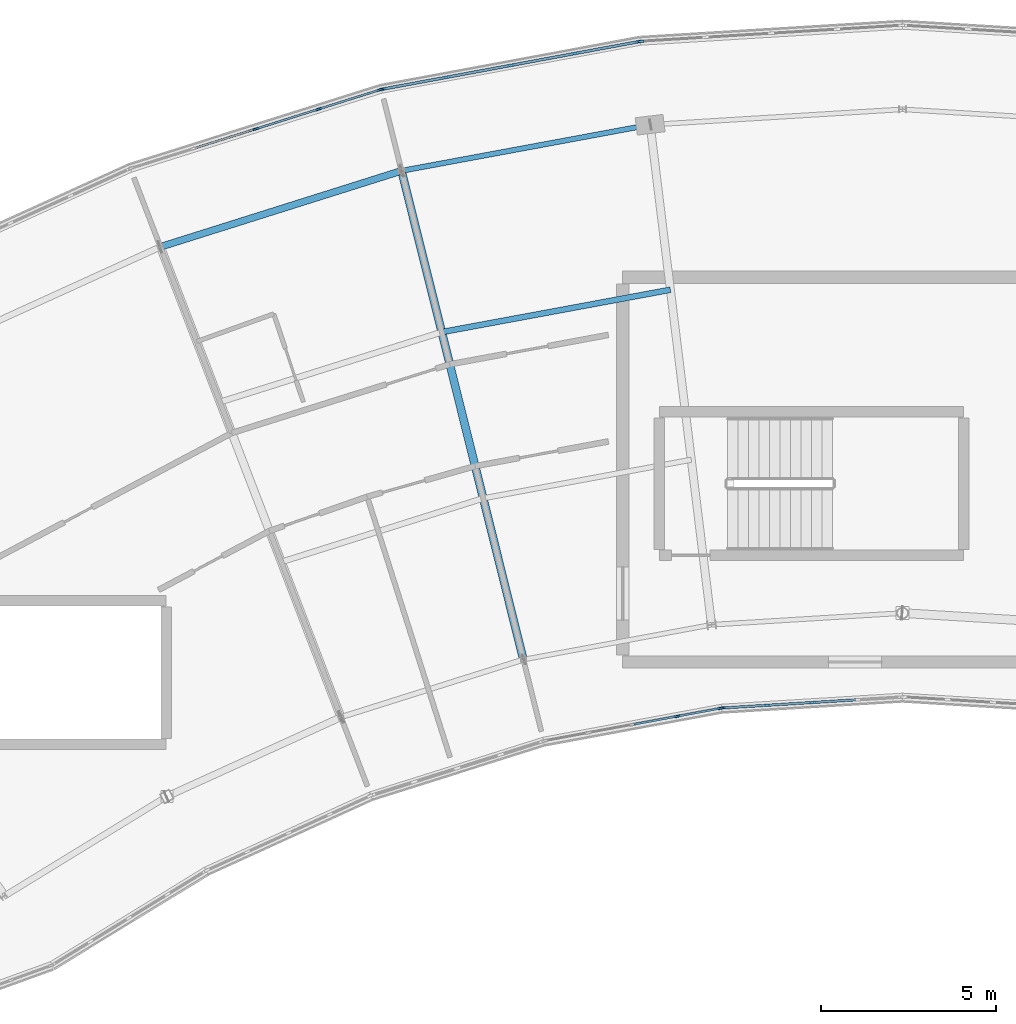
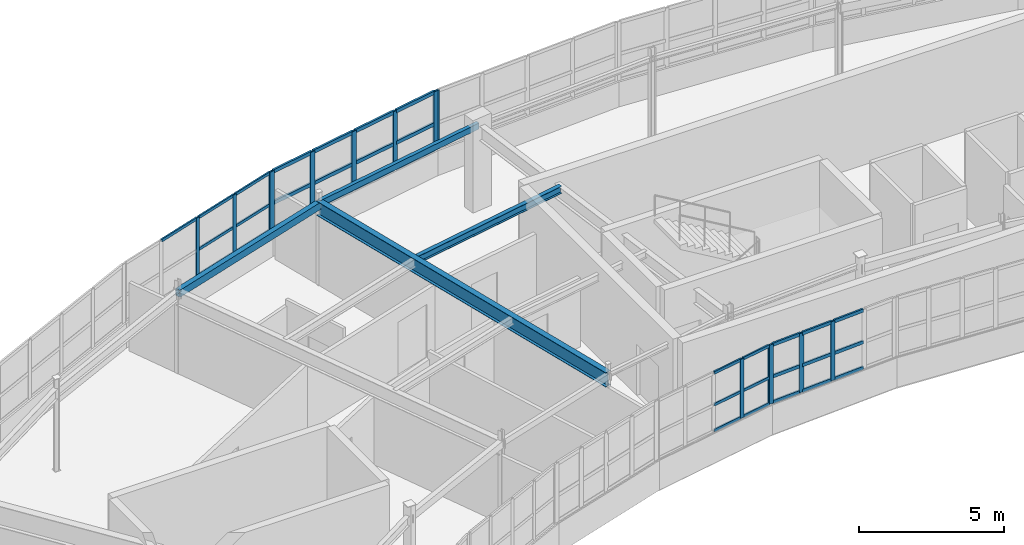
# One storey, part 29 of 60: 48 members, 4 beams, 5 elements without a shape of their own.
"""IFC4 building model written with IfcOpenShell, lengths in metres."""

import ifcopenshell
import ifcopenshell.guid

model = None  # the IFC model being written
_history = None  # IfcOwnerHistory: only IFC2X3 demands one
_inside = {}  # id of a spatial element -> (the spatial element, [elements in it])
_under = {}  # id of a project, library or spatial element -> (it, [spatial elements below it])
_declared = {}  # id of a project -> (the project, [libraries it declares])
_typed = {}  # id of a type object -> (the type object, [elements of that type])
_made_of = {}  # id of a material, layer set ... -> (it, [elements and type objects made of it])


def new_model(schema):
    """Start an empty IFC model of exactly this schema.

    Asked for "IFC4X3", IfcOpenShell would pick the latest addendum, in which some entities
    have other attributes; the version numbers below select the first issue.
    IFC2X3 requires an IfcOwnerHistory on every rooted entity: one is made here for all.
    """
    global model, _history
    if schema == "IFC4X3":
        model = ifcopenshell.file(schema_version=(4, 3, 0, 0))
    else:
        model = ifcopenshell.file(schema=schema)
    _inside.clear()
    _under.clear()
    _declared.clear()
    _typed.clear()
    _made_of.clear()
    _history = None
    if model.schema == "IFC2X3":
        org = make("IfcOrganization", Name="unknown")
        user = make(
            "IfcPersonAndOrganization",
            ThePerson=make("IfcPerson", FamilyName="unknown"),
            TheOrganization=org,
        )
        app = make(
            "IfcApplication",
            ApplicationDeveloper=org,
            Version="unknown",
            ApplicationFullName="unknown",
            ApplicationIdentifier="unknown",
        )
        _history = make(
            "IfcOwnerHistory",
            OwningUser=user,
            OwningApplication=app,
            ChangeAction="ADDED",
            CreationDate=0,
        )
    return model


def make(cls, **values):
    """One entity of the class cls with the attributes given. An attribute that is None is left unset."""
    return model.create_entity(
        cls, **{name: value for name, value in values.items() if value is not None}
    )


def rooted(cls, **values):
    """An entity with a GlobalId (a new one), such as an element, a storey or a relation."""
    return make(cls, GlobalId=ifcopenshell.guid.new(), OwnerHistory=_history, **values)


def si_unit(unit_type, name, prefix=None):
    """IfcSIUnit, for example si_unit("LENGTHUNIT", "METRE", prefix="MILLI")."""
    return make("IfcSIUnit", UnitType=unit_type, Prefix=prefix, Name=name)


def assignment(units):
    """IfcUnitAssignment: the units of a project."""
    return None if units is None else make("IfcUnitAssignment", Units=units)


def point(xyz):
    """IfcCartesianPoint."""
    return None if xyz is None else make("IfcCartesianPoint", Coordinates=xyz)


def direction(xyz):
    """IfcDirection."""
    return None if xyz is None else make("IfcDirection", DirectionRatios=xyz)


def frame(location, z_axis=None, x_axis=None):
    """IfcAxis2Placement3D, a coordinate frame: its origin and axes. An axis left out is left unset."""
    return make(
        "IfcAxis2Placement3D",
        Location=point(location),
        Axis=direction(z_axis),
        RefDirection=direction(x_axis),
    )


def frame_2d(location, x_axis=None):
    """IfcAxis2Placement2D, a coordinate frame in the plane: its origin and x axis."""
    return make(
        "IfcAxis2Placement2D", Location=point(location), RefDirection=direction(x_axis)
    )


def origin():
    """The frame at (0, 0, 0) with its axes left unset."""
    return frame((0.0, 0.0, 0.0))


def origin_2d():
    """The frame at (0, 0) in the plane with its x axis left unset."""
    return frame_2d((0.0, 0.0))


def place(relative_to, where):
    """IfcLocalPlacement: puts the frame where relative to a parent placement (None: the world)."""
    return make(
        "IfcLocalPlacement", PlacementRelTo=relative_to, RelativePlacement=where
    )


def context(
    kind, dimensions, precision=None, world=None, true_north=None, identifier=None
):
    """IfcGeometricRepresentationContext, for example the 3D "Model" context."""
    return make(
        "IfcGeometricRepresentationContext",
        ContextIdentifier=identifier,
        ContextType=kind,
        CoordinateSpaceDimension=dimensions,
        Precision=precision,
        WorldCoordinateSystem=world,
        TrueNorth=true_north,
    )


def subcontext(parent, identifier, kind, view, scale=None):
    """IfcGeometricRepresentationSubContext, for example "Body" below "Model"."""
    return make(
        "IfcGeometricRepresentationSubContext",
        ContextIdentifier=identifier,
        ContextType=kind,
        ParentContext=parent,
        TargetScale=scale,
        TargetView=view,
    )


def project(units=None, contexts=None):
    """IfcProject with its units and contexts."""
    return rooted(
        "IfcProject",
        Name="project",
        RepresentationContexts=contexts,
        UnitsInContext=assignment(units),
    )


def spatial(cls, under=None, at=None, **own):
    """A site, building, storey or space (cls), placed at a placement, below another one or the project."""
    s = rooted(cls, ObjectPlacement=at, **own)
    if under is not None:
        _under.setdefault(under.id(), (under, []))[1].append(s)
    return s


def profile(cls, at=None, kind="AREA", **sizes):
    """A parametric profile (cls). Its sizes go by their IFC names, for example OverallWidth=200.0."""
    return make(cls, ProfileType=kind, Position=at, **sizes)


def rectangle(**sizes):
    """IfcRectangleProfileDef."""
    return profile("IfcRectangleProfileDef", **sizes)


def hollow_rectangle(**sizes):
    """IfcRectangleHollowProfileDef."""
    return profile("IfcRectangleHollowProfileDef", **sizes)


def i_section(**sizes):
    """IfcIShapeProfileDef."""
    return profile("IfcIShapeProfileDef", **sizes)


def extrude(swept, where, along, depth):
    """IfcExtrudedAreaSolid: the profile swept, set in the frame where, extruded along a direction by depth."""
    return make(
        "IfcExtrudedAreaSolid",
        SweptArea=swept,
        Position=where,
        ExtrudedDirection=direction(along),
        Depth=depth,
    )


def shape(context_of_items, identifier, shape_type, items):
    """IfcShapeRepresentation: the items that make up one representation, for example the "Body"."""
    return make(
        "IfcShapeRepresentation",
        ContextOfItems=context_of_items,
        RepresentationIdentifier=identifier,
        RepresentationType=shape_type,
        Items=items,
    )


def material(Name=None, Category=None):
    """IfcMaterial."""
    return make("IfcMaterial", Name=Name, Category=Category)


def layer(
    of_material, thickness, ventilated=None, Name=None, Category=None, Priority=None
):
    """IfcMaterialLayer: one layer of a wall or slab, of a material (None: an air gap)."""
    return make(
        "IfcMaterialLayer",
        Material=of_material,
        LayerThickness=thickness,
        IsVentilated=ventilated,
        Name=Name,
        Category=Category,
        Priority=Priority,
    )


def layer_set(layers, Name=None):
    """IfcMaterialLayerSet."""
    return make("IfcMaterialLayerSet", MaterialLayers=layers, LayerSetName=Name)


def material_profile(
    of_material, cross_section, Name=None, Category=None, Priority=None
):
    """IfcMaterialProfile: a cross section and its material."""
    return make(
        "IfcMaterialProfile",
        Name=Name,
        Material=of_material,
        Profile=cross_section,
        Priority=Priority,
        Category=Category,
    )


def profile_set(profiles, Name=None, composite=None):
    """IfcMaterialProfileSet."""
    return make(
        "IfcMaterialProfileSet",
        Name=Name,
        MaterialProfiles=profiles,
        CompositeProfile=composite,
    )


def made_of(thing, what):
    """Note that an element or type object is made of a material, layer set ...; save() writes the relation."""
    if what is not None:
        _made_of.setdefault(what.id(), (what, []))[1].append(thing)
    return thing


def type_object(cls, material=None, **own):
    """A type object (cls), such as IfcWallType, which elements share."""
    return made_of(rooted(cls, **own), material)


def element(
    cls,
    number,
    at=None,
    inside=None,
    cuts=None,
    type_object=None,
    material=None,
    context=None,
    identifier="Body",
    shape_type=None,
    held_by="IfcProductDefinitionShape",
    body=None,
    shapes=None,
    **own,
):
    """One element of the class cls, such as IfcWall. Its Tag is "e" and its number.

    at: its placement. inside: the storey or other place that contains it. cuts: it is an
    opening in that element (IfcRelVoidsElement). A single representation is given by context,
    identifier, shape_type and body (its items); several are given by shapes. held_by: the class
    of the entity that holds the representations. save() writes the other relations.
    """
    e = rooted(cls, Tag="e%d" % number, ObjectPlacement=at, **own)
    if body is not None:
        shapes = [shape(context, identifier, shape_type, body)]
    if shapes is not None:
        e.Representation = make(held_by, Representations=shapes)
    if inside is not None:
        _inside.setdefault(inside.id(), (inside, []))[1].append(e)
    if cuts is not None:
        rooted(
            "IfcRelVoidsElement", RelatingBuildingElement=cuts, RelatedOpeningElement=e
        )
    if type_object is not None:
        _typed.setdefault(type_object.id(), (type_object, []))[1].append(e)
    return made_of(e, material)


def aggregate(whole, parts):
    """IfcRelAggregates: a whole, such as a stair, and the parts it consists of."""
    return rooted("IfcRelAggregates", RelatingObject=whole, RelatedObjects=parts)


def save(model, path):
    """Write the relations noted so far, then the file.

    IfcRelAggregates (storeys below a building ...), IfcRelContainedInSpatialStructure (elements
    in a storey), IfcRelDefinesByType, IfcRelAssociatesMaterial and IfcRelDeclares: one each for
    every whole, place, type object, material and project.
    """
    for whole, parts in _under.values():
        aggregate(whole, parts)
    for where, things in _inside.values():
        rooted(
            "IfcRelContainedInSpatialStructure",
            RelatedElements=things,
            RelatingStructure=where,
        )
    for kind, things in _typed.values():
        rooted("IfcRelDefinesByType", RelatedObjects=things, RelatingType=kind)
    for what, things in _made_of.values():
        rooted("IfcRelAssociatesMaterial", RelatedObjects=things, RelatingMaterial=what)
    for by, libraries in _declared.values():
        rooted("IfcRelDeclares", RelatingContext=by, RelatedDefinitions=libraries)
    model.write(path)


model = new_model("IFC4")

# Units and contexts
model_context = context("Model", 3, precision=1e-05, world=origin(), true_north=direction((0.0, 1.0)))
body_context = subcontext(model_context, "Body", "Model", "MODEL_VIEW")
ifc_project = project(units=[si_unit("LENGTHUNIT", "METRE"), si_unit("AREAUNIT", "SQUARE_METRE"), si_unit("VOLUMEUNIT", "CUBIC_METRE"), si_unit("PLANEANGLEUNIT", "RADIAN"), si_unit("MASSUNIT", "GRAM", prefix="KILO")], contexts=[model_context])

# Site, building, storey
site_placement = place(None, origin())
site = spatial("IfcSite", under=ifc_project, at=site_placement, CompositionType="ELEMENT")
building_placement = place(site_placement, origin())
building = spatial("IfcBuilding", under=site, at=building_placement, Name="Tarnwether General Hospital", CompositionType="ELEMENT")
storey_placement = place(building_placement, frame((0.0, 0.0, 26.10009765625)))
storey = spatial("IfcBuildingStorey", under=building, at=storey_placement, Name="L06", CompositionType="ELEMENT", Elevation=26.10009765625)

# Beams
ifc_material_1 = material(Name="Steel Grade 350 (350 MPa)", Category="steel")
ifc_material_profile_1 = material_profile(ifc_material_1, i_section(OverallWidth=0.22802734375, OverallDepth=0.60693359375, WebThickness=0.01123046875, FlangeThickness=0.017333984375, at=origin_2d()), Name="610UB113")
ifc_profile_set_1 = profile_set([ifc_material_profile_1], Name="Steel Grade 350 (350 MPa)")
beam_type_1 = type_object("IfcBeamType", Name="BM-G04", PredefinedType="BEAM", material=ifc_profile_set_1)
beam_1_placement = place(storey_placement, frame((77.677978515625, 120.44189453125, 3.241455078125), z_axis=(0.241941215118, -0.970290909175, 0.0), x_axis=(0.970290909175, 0.241941215118, 0.0)))
element("IfcBeam", 1, at=beam_1_placement, inside=storey, type_object=beam_type_1, Name="Curved Ward NW Radial Girder BMG-L06-7768_12044-8116_10647-2015", PredefinedType="BEAM", context=body_context, shape_type="SweptSolid", body=[
    extrude(i_section(OverallWidth=0.22802734375, OverallDepth=0.60693359375, WebThickness=0.01123046875, FlangeThickness=0.017333984375, at=origin_2d()), origin(), (0.0, 0.0, 1.0), 14.400634765625),
])
ifc_material_2 = material(Name="Steel Grade 350 (350 MPa)", Category="steel")
ifc_material_profile_2 = material_profile(ifc_material_2, i_section(OverallWidth=0.166015625, OverallDepth=0.306884765625, WebThickness=0.006591796875, FlangeThickness=0.01171875, at=origin_2d()), Name="310UB46.2")
ifc_profile_set_2 = profile_set([ifc_material_profile_2], Name="Steel Grade 350 (350 MPa)")
beam_type_2 = type_object("IfcBeamType", Name="BM-J05", PredefinedType="JOIST", material=ifc_profile_set_2)
beam_2_placement = place(storey_placement, frame((78.827880859375, 115.8310546875, 3.391357421875), z_axis=(0.983267388773, 0.18216817004, 0.0), x_axis=(-0.18216817004, 0.983267388773, 0.0)))
element("IfcBeam", 2, at=beam_2_placement, inside=storey, type_object=beam_type_2, Name="Curved Ward NW Chord Joist BMG-L06-7883_11583-8536_11704-2029", PredefinedType="JOIST", context=body_context, shape_type="SweptSolid", body=[
    extrude(i_section(OverallWidth=0.166015625, OverallDepth=0.306884765625, WebThickness=0.006591796875, FlangeThickness=0.01171875, at=origin_2d()), origin(), (0.0, 0.0, 1.0), 6.6474609375),
])
ifc_material_3 = material(Name="Steel Grade C350L0 (350 MPa)", Category="steel")
ifc_material_profile_3 = material_profile(ifc_material_3, hollow_rectangle(XDim=0.199951171875, YDim=0.300048828125, WallThickness=0.012451171875, at=origin_2d()), Name="RHS300x200x12.5")
ifc_profile_set_3 = profile_set([ifc_material_profile_3], Name="Steel Grade C350L0 (350 MPa)")
beam_type_3 = type_object("IfcBeamType", Name="BM-SP3", PredefinedType="SPANDREL", material=ifc_profile_set_3)
beam_3_placement = place(storey_placement, frame((70.784912109375, 118.26806640625, 3.349853515625), z_axis=(0.953698988948, 0.300762761125, 0.0), x_axis=(-0.300762761125, 0.953698988948, 0.0)))
element("IfcBeam", 3, at=beam_3_placement, inside=storey, type_object=beam_type_3, Name="Curved Ward NW Outer Spandrel BMG-L06-7078_11827-7768_12044-2023", PredefinedType="SPANDREL", context=body_context, shape_type="SweptSolid", body=[
    extrude(hollow_rectangle(XDim=0.199951171875, YDim=0.300048828125, WallThickness=0.012451171875, at=origin_2d()), origin(), (0.0, 0.0, 1.0), 7.227783203125),
])
ifc_material_4 = material(Name="Steel Grade C350L0 (350 MPa)", Category="steel")
ifc_material_profile_4 = material_profile(ifc_material_4, hollow_rectangle(XDim=0.14990234375, YDim=0.25, WallThickness=0.010009765625, at=origin_2d()), Name="RHS250x150x10")
ifc_profile_set_4 = profile_set([ifc_material_profile_4], Name="Steel Grade C350L0 (350 MPa)")
beam_type_4 = type_object("IfcBeamType", Name="BM-SP4", PredefinedType="SPANDREL", material=ifc_profile_set_4)
beam_4_placement = place(storey_placement, frame((77.677978515625, 120.44189453125, 3.419921875), z_axis=(0.98325623662, 0.182228354399, 0.0), x_axis=(-0.182228354399, 0.98325623662, 0.0)))
element("IfcBeam", 4, at=beam_4_placement, inside=storey, type_object=beam_type_4, Name="Curved Ward NW Outer Spandrel BMG-L06-7768_12044-8478_12176-2027", PredefinedType="SPANDREL", context=body_context, shape_type="SweptSolid", body=[
    extrude(hollow_rectangle(XDim=0.14990234375, YDim=0.25, WallThickness=0.010009765625, at=origin_2d()), origin(), (0.0, 0.0, 1.0), 7.22802734375),
])

# Curtain wall, members
ifc_material_5 = material(Name="Anodised aluminium", Category="aluminium")
ifc_layer_1 = layer(ifc_material_5, 0.159912109375)
ifc_layer_set_1 = layer_set([ifc_layer_1], Name="Anodised aluminium")
curtain_wall_type_1 = type_object("IfcCurtainWallType", Name="CW-04", PredefinedType="NOTDEFINED", material=ifc_layer_set_1)
curtain_wall_1_placement = place(storey_placement, origin())
curtain_wall_1 = element("IfcCurtainWall", 5, at=curtain_wall_1_placement, inside=storey, type_object=curtain_wall_type_1, Name="Curtain Wall CWG-L06-868_1051-0105", PredefinedType="NOTDEFINED")
ifc_material_6 = material(Name="Anodised aluminium", Category="aluminium")
ifc_material_profile_5 = material_profile(ifc_material_6, rectangle(XDim=0.06005859375, YDim=0.159912109375, at=origin_2d()), Name="ALU-MUL-60x160")
ifc_profile_set_5 = profile_set([ifc_material_profile_5], Name="Anodised aluminium")
member_type_1 = type_object("IfcMemberType", Name="CW-ML1", PredefinedType="MULLION", material=ifc_profile_set_5)
member_1_placement = place(storey_placement, frame((86.803466796875, 105.07861328125, 1.0498046875), z_axis=(0.0, 0.0, 1.0), x_axis=(0.182165351666, -0.983267910924, 0.0)))
member_1 = element("IfcMember", 6, at=member_1_placement, type_object=member_type_1, Name="CW-04 mullion 1", PredefinedType="MULLION", context=body_context, shape_type="SweptSolid", body=[
    extrude(rectangle(XDim=0.06005859375, YDim=0.159912109375, at=origin_2d()), origin(), (0.0, 0.0, 1.0), 2.4951171875),
])
member_2_placement = place(storey_placement, frame((85.560546875, 104.84814453125, 1.0498046875), z_axis=(0.0, 0.0, 1.0), x_axis=(0.182165351666, -0.983267910924, 0.0)))
member_2 = element("IfcMember", 7, at=member_2_placement, type_object=member_type_1, Name="CW-04 mullion 2", PredefinedType="MULLION", context=body_context, shape_type="SweptSolid", body=[
    extrude(rectangle(XDim=0.06005859375, YDim=0.159912109375, at=origin_2d()), origin(), (0.0, 0.0, 1.0), 2.4951171875),
])

ifc_material_7 = material(Name="Anodised aluminium", Category="aluminium")
ifc_layer_2 = layer(ifc_material_7, 0.179931640625)
ifc_layer_set_2 = layer_set([ifc_layer_2], Name="Anodised aluminium")
curtain_wall_type_2 = type_object("IfcCurtainWallType", Name="CW-06", PredefinedType="NOTDEFINED", material=ifc_layer_set_2)
curtain_wall_2_placement = place(storey_placement, origin())
curtain_wall_2 = element("IfcCurtainWall", 8, at=curtain_wall_2_placement, inside=storey, type_object=curtain_wall_type_2, Name="Curtain Wall CWG-L06-699_1205-0125", PredefinedType="NOTDEFINED")
member_3_placement = place(storey_placement, frame((73.511474609375, 121.639404296875, 1.0498046875), z_axis=(0.0, 0.0, 1.0), x_axis=(-0.300628613299, 0.953741284032, 0.0)))
member_3 = element("IfcMember", 9, at=member_3_placement, type_object=member_type_1, Name="CW-06 mullion 3", PredefinedType="MULLION", context=body_context, shape_type="SweptSolid", body=[
    extrude(rectangle(XDim=0.06005859375, YDim=0.159912109375, at=origin_2d()), origin(), (0.0, 0.0, 1.0), 2.4951171875),
])
member_4_placement = place(storey_placement, frame((75.3046875, 122.204833984375, 1.0498046875), z_axis=(0.0, 0.0, 1.0), x_axis=(-0.300628613299, 0.953741284032, 0.0)))
member_4 = element("IfcMember", 10, at=member_4_placement, type_object=member_type_1, Name="CW-06 mullion 4", PredefinedType="MULLION", context=body_context, shape_type="SweptSolid", body=[
    extrude(rectangle(XDim=0.06005859375, YDim=0.159912109375, at=origin_2d()), origin(), (0.0, 0.0, 1.0), 2.4951171875),
])
member_5_placement = place(storey_placement, frame((77.0693359375, 122.760986328125, 1.0498046875), z_axis=(0.0, 0.0, 1.0), x_axis=(-0.300628613299, 0.953741284032, 0.0)))
member_5 = element("IfcMember", 11, at=member_5_placement, type_object=member_type_1, Name="CW-06 mullion 5", PredefinedType="MULLION", context=body_context, shape_type="SweptSolid", body=[
    extrude(rectangle(XDim=0.06005859375, YDim=0.159912109375, at=origin_2d()), origin(), (0.0, 0.0, 1.0), 2.4951171875),
])

curtain_wall_3_placement = place(storey_placement, origin())
curtain_wall_3 = element("IfcCurtainWall", 12, at=curtain_wall_3_placement, inside=storey, type_object=curtain_wall_type_1, Name="Curtain Wall CWG-L06-920_1054-0106", PredefinedType="NOTDEFINED")
ifc_material_8 = material(Name="Anodised aluminium", Category="aluminium")
ifc_material_profile_6 = material_profile(ifc_material_8, rectangle(XDim=0.070068359375, YDim=0.179931640625, at=origin_2d()), Name="ALU-MUL-70x180")
ifc_profile_set_6 = profile_set([ifc_material_profile_6], Name="Anodised aluminium")
member_type_2 = type_object("IfcMemberType", Name="CW-ML2", PredefinedType="MULLION", material=ifc_profile_set_6)
member_6_placement = place(storey_placement, frame((89.41650390625, 105.241943359375, 1.0498046875), z_axis=(0.0, 0.0, 1.0), x_axis=(0.06104329354, -0.998135119267, 0.0)))
member_6 = element("IfcMember", 13, at=member_6_placement, type_object=member_type_2, Name="CW-04 mullion 3", PredefinedType="MULLION", context=body_context, shape_type="SweptSolid", body=[
    extrude(rectangle(XDim=0.070068359375, YDim=0.179931640625, at=origin_2d()), origin(), (0.0, 0.0, 1.0), 2.4951171875),
])
member_7_placement = place(storey_placement, frame((88.124755859375, 105.1630859375, 1.0498046875), z_axis=(0.0, 0.0, 1.0), x_axis=(0.06104329354, -0.998135119267, 0.0)))
member_7 = element("IfcMember", 14, at=member_7_placement, type_object=member_type_2, Name="CW-04 mullion 4", PredefinedType="MULLION", context=body_context, shape_type="SweptSolid", body=[
    extrude(rectangle(XDim=0.070068359375, YDim=0.179931640625, at=origin_2d()), origin(), (0.0, 0.0, 1.0), 2.4951171875),
])
member_8_placement = place(storey_placement, frame((86.867919921875, 105.086181640625, 1.0498046875), z_axis=(0.0, 0.0, 1.0), x_axis=(0.06104329354, -0.998135119267, 0.0)))
member_8 = element("IfcMember", 15, at=member_8_placement, type_object=member_type_2, Name="CW-04 mullion 5", PredefinedType="MULLION", context=body_context, shape_type="SweptSolid", body=[
    extrude(rectangle(XDim=0.070068359375, YDim=0.179931640625, at=origin_2d()), origin(), (0.0, 0.0, 1.0), 2.4951171875),
])

# Curtain wall, member
curtain_wall_4_placement = place(storey_placement, origin())
curtain_wall_4 = element("IfcCurtainWall", 16, at=curtain_wall_4_placement, inside=storey, type_object=curtain_wall_type_2, Name="Curtain Wall CWG-L06-845_1241-0123", PredefinedType="NOTDEFINED")
ifc_material_9 = material(Name="Anodised aluminium", Category="aluminium")
ifc_material_profile_7 = material_profile(ifc_material_9, rectangle(XDim=0.06494140625, YDim=0.169921875, at=origin_2d()), Name="ALU-MUL-65x170")
ifc_profile_set_7 = profile_set([ifc_material_profile_7], Name="Anodised aluminium")
member_type_3 = type_object("IfcMemberType", Name="CW-ML3", PredefinedType="MULLION", material=ifc_profile_set_7)
member_9_placement = place(storey_placement, frame((84.525390625, 124.14306640625, 1.0498046875), z_axis=(0.0, 0.0, 1.0), x_axis=(-0.061028962567, 0.998135995608, 0.0)))
member_9 = element("IfcMember", 17, at=member_9_placement, type_object=member_type_3, Name="CW-06 mullion 1", PredefinedType="MULLION", context=body_context, shape_type="SweptSolid", body=[
    extrude(rectangle(XDim=0.06494140625, YDim=0.169921875, at=origin_2d()), origin(), (0.0, 0.0, 1.0), 2.4951171875),
])
aggregate(curtain_wall_4, [member_9])

# Curtain wall, members
curtain_wall_5_placement = place(storey_placement, origin())
curtain_wall_5 = element("IfcCurtainWall", 18, at=curtain_wall_5_placement, inside=storey, type_object=curtain_wall_type_2, Name="Curtain Wall CWG-L06-771_1228-0124", PredefinedType="NOTDEFINED")
ifc_material_10 = material(Name="Anodised aluminium", Category="aluminium")
ifc_material_profile_8 = material_profile(ifc_material_10, rectangle(XDim=0.080078125, YDim=0.199951171875, at=origin_2d()), Name="ALU-MUL-80x200")
ifc_profile_set_8 = profile_set([ifc_material_profile_8], Name="Anodised aluminium")
member_type_4 = type_object("IfcMemberType", Name="CW-ML4", PredefinedType="MULLION", material=ifc_profile_set_8)
member_10_placement = place(storey_placement, frame((77.137451171875, 122.77734375, 1.0498046875), z_axis=(0.0, 0.0, 1.0), x_axis=(-0.182289226614, 0.983244953132, 0.0)))
member_10 = element("IfcMember", 19, at=member_10_placement, type_object=member_type_4, Name="CW-06 mullion 1", PredefinedType="MULLION", context=body_context, shape_type="SweptSolid", body=[
    extrude(rectangle(XDim=0.080078125, YDim=0.199951171875, at=origin_2d()), origin(), (0.0, 0.0, 1.0), 2.4951171875),
])
member_11_placement = place(storey_placement, frame((78.94677734375, 123.11279296875, 1.0498046875), z_axis=(0.0, 0.0, 1.0), x_axis=(-0.182289226614, 0.983244953132, 0.0)))
member_11 = element("IfcMember", 20, at=member_11_placement, type_object=member_type_4, Name="CW-06 mullion 2", PredefinedType="MULLION", context=body_context, shape_type="SweptSolid", body=[
    extrude(rectangle(XDim=0.080078125, YDim=0.199951171875, at=origin_2d()), origin(), (0.0, 0.0, 1.0), 2.4951171875),
])
member_12_placement = place(storey_placement, frame((80.79541015625, 123.45556640625, 1.0498046875), z_axis=(0.0, 0.0, 1.0), x_axis=(-0.182289226614, 0.983244953132, 0.0)))
member_12 = element("IfcMember", 21, at=member_12_placement, type_object=member_type_4, Name="CW-06 mullion 3", PredefinedType="MULLION", context=body_context, shape_type="SweptSolid", body=[
    extrude(rectangle(XDim=0.080078125, YDim=0.199951171875, at=origin_2d()), origin(), (0.0, 0.0, 1.0), 2.4951171875),
])
member_13_placement = place(storey_placement, frame((82.644287109375, 123.79833984375, 1.0498046875), z_axis=(0.0, 0.0, 1.0), x_axis=(-0.182289226614, 0.983244953132, 0.0)))
member_13 = element("IfcMember", 22, at=member_13_placement, type_object=member_type_4, Name="CW-06 mullion 4", PredefinedType="MULLION", context=body_context, shape_type="SweptSolid", body=[
    extrude(rectangle(XDim=0.080078125, YDim=0.199951171875, at=origin_2d()), origin(), (0.0, 0.0, 1.0), 2.4951171875),
])
member_14_placement = place(storey_placement, frame((84.45361328125, 124.1337890625, 1.0498046875), z_axis=(0.0, 0.0, 1.0), x_axis=(-0.182289226614, 0.983244953132, 0.0)))
member_14 = element("IfcMember", 23, at=member_14_placement, type_object=member_type_4, Name="CW-06 mullion 5", PredefinedType="MULLION", context=body_context, shape_type="SweptSolid", body=[
    extrude(rectangle(XDim=0.080078125, YDim=0.199951171875, at=origin_2d()), origin(), (0.0, 0.0, 1.0), 2.4951171875),
])

# Member
ifc_material_11 = material(Name="Anodised aluminium", Category="aluminium")
ifc_material_profile_9 = material_profile(ifc_material_11, rectangle(XDim=0.06005859375, YDim=0.1201171875, at=origin_2d()), Name="ALU-TRN-60x120")
ifc_profile_set_9 = profile_set([ifc_material_profile_9], Name="Anodised aluminium")
member_type_5 = type_object("IfcMemberType", Name="CW-TR1", PredefinedType="USERDEFINED", material=ifc_profile_set_9)
member_15_placement = place(storey_placement, frame((86.77392578125, 105.072998046875, 1.079833984375), z_axis=(-0.983280660262, -0.182096521533, 0.0), x_axis=(0.182096521533, -0.983280660262, 0.0)))
member_15 = element("IfcMember", 24, at=member_15_placement, type_object=member_type_5, Name="CW-04 transom 1.1", ObjectType="TRANSOM", PredefinedType="USERDEFINED", context=body_context, shape_type="SweptSolid", body=[
    extrude(rectangle(XDim=0.06005859375, YDim=0.1201171875, at=origin_2d()), origin(), (0.0, 0.0, 1.0), 1.203857421875),
])

member_16_placement = place(storey_placement, frame((86.77392578125, 105.072998046875, 2.172607421875), z_axis=(-0.983280660262, -0.182096521533, 0.0), x_axis=(0.182096521533, -0.983280660262, 0.0)))
member_16 = element("IfcMember", 25, at=member_16_placement, type_object=member_type_5, Name="CW-04 transom 1.2", ObjectType="TRANSOM", PredefinedType="USERDEFINED", context=body_context, shape_type="SweptSolid", body=[
    extrude(rectangle(XDim=0.06005859375, YDim=0.1201171875, at=origin_2d()), origin(), (0.0, 0.0, 1.0), 1.203857421875),
])

member_17_placement = place(storey_placement, frame((86.77392578125, 105.072998046875, 3.514892578125), z_axis=(-0.983280660262, -0.182096521533, 0.0), x_axis=(0.182096521533, -0.983280660262, 0.0)))
member_17 = element("IfcMember", 26, at=member_17_placement, type_object=member_type_5, Name="CW-04 transom 1.3", ObjectType="TRANSOM", PredefinedType="USERDEFINED", context=body_context, shape_type="SweptSolid", body=[
    extrude(rectangle(XDim=0.06005859375, YDim=0.1201171875, at=origin_2d()), origin(), (0.0, 0.0, 1.0), 1.203857421875),
])

member_18_placement = place(storey_placement, frame((85.531005859375, 104.8427734375, 1.079833984375), z_axis=(-0.983266261218, -0.182174256001, 0.0), x_axis=(0.182174256001, -0.983266261218, 0.0)))
member_18 = element("IfcMember", 27, at=member_18_placement, type_object=member_type_5, Name="CW-04 transom 2.1", ObjectType="TRANSOM", PredefinedType="USERDEFINED", context=body_context, shape_type="SweptSolid", body=[
    extrude(rectangle(XDim=0.06005859375, YDim=0.1201171875, at=origin_2d()), origin(), (0.0, 0.0, 1.0), 1.234375),
])

member_19_placement = place(storey_placement, frame((85.531005859375, 104.8427734375, 2.172607421875), z_axis=(-0.983266261218, -0.182174256001, 0.0), x_axis=(0.182174256001, -0.983266261218, 0.0)))
member_19 = element("IfcMember", 28, at=member_19_placement, type_object=member_type_5, Name="CW-04 transom 2.2", ObjectType="TRANSOM", PredefinedType="USERDEFINED", context=body_context, shape_type="SweptSolid", body=[
    extrude(rectangle(XDim=0.06005859375, YDim=0.1201171875, at=origin_2d()), origin(), (0.0, 0.0, 1.0), 1.234375),
])

member_20_placement = place(storey_placement, frame((85.531005859375, 104.8427734375, 3.514892578125), z_axis=(-0.983266261218, -0.182174256001, 0.0), x_axis=(0.182174256001, -0.983266261218, 0.0)))
member_20 = element("IfcMember", 29, at=member_20_placement, type_object=member_type_5, Name="CW-04 transom 2.3", ObjectType="TRANSOM", PredefinedType="USERDEFINED", context=body_context, shape_type="SweptSolid", body=[
    extrude(rectangle(XDim=0.06005859375, YDim=0.1201171875, at=origin_2d()), origin(), (0.0, 0.0, 1.0), 1.234375),
])

aggregate(curtain_wall_1, [member_1, member_2, member_15, member_16, member_17, member_18, member_19, member_20])

member_21_placement = place(storey_placement, frame((71.746826171875, 121.083251953125, 3.514892578125), z_axis=(0.953758856657, 0.300572858637, 0.0), x_axis=(-0.300572858637, 0.953758856657, 0.0)))
member_21 = element("IfcMember", 30, at=member_21_placement, type_object=member_type_5, Name="CW-06 transom 2.3", ObjectType="TRANSOM", PredefinedType="USERDEFINED", context=body_context, shape_type="SweptSolid", body=[
    extrude(rectangle(XDim=0.06005859375, YDim=0.1201171875, at=origin_2d()), origin(), (0.0, 0.0, 1.0), 1.8203125),
])

member_22_placement = place(storey_placement, frame((73.5400390625, 121.6484375, 1.079833984375), z_axis=(0.953720400412, 0.30069485835, 0.0), x_axis=(-0.30069485835, 0.953720400412, 0.0)))
member_22 = element("IfcMember", 31, at=member_22_placement, type_object=member_type_5, Name="CW-06 transom 3.1", ObjectType="TRANSOM", PredefinedType="USERDEFINED", context=body_context, shape_type="SweptSolid", body=[
    extrude(rectangle(XDim=0.06005859375, YDim=0.1201171875, at=origin_2d()), origin(), (0.0, 0.0, 1.0), 1.8203125),
])

member_23_placement = place(storey_placement, frame((73.5400390625, 121.6484375, 2.172607421875), z_axis=(0.953720400412, 0.30069485835, 0.0), x_axis=(-0.30069485835, 0.953720400412, 0.0)))
member_23 = element("IfcMember", 32, at=member_23_placement, type_object=member_type_5, Name="CW-06 transom 3.2", ObjectType="TRANSOM", PredefinedType="USERDEFINED", context=body_context, shape_type="SweptSolid", body=[
    extrude(rectangle(XDim=0.06005859375, YDim=0.1201171875, at=origin_2d()), origin(), (0.0, 0.0, 1.0), 1.8203125),
])

member_24_placement = place(storey_placement, frame((73.5400390625, 121.6484375, 3.514892578125), z_axis=(0.953720400412, 0.30069485835, 0.0), x_axis=(-0.30069485835, 0.953720400412, 0.0)))
member_24 = element("IfcMember", 33, at=member_24_placement, type_object=member_type_5, Name="CW-06 transom 3.3", ObjectType="TRANSOM", PredefinedType="USERDEFINED", context=body_context, shape_type="SweptSolid", body=[
    extrude(rectangle(XDim=0.06005859375, YDim=0.1201171875, at=origin_2d()), origin(), (0.0, 0.0, 1.0), 1.8203125),
])

member_25_placement = place(storey_placement, frame((75.333251953125, 122.2138671875, 1.079833984375), z_axis=(0.953763859338, 0.300556983983, 0.0), x_axis=(-0.300556983983, 0.953763859338, 0.0)))
member_25 = element("IfcMember", 34, at=member_25_placement, type_object=member_type_5, Name="CW-06 transom 4.1", ObjectType="TRANSOM", PredefinedType="USERDEFINED", context=body_context, shape_type="SweptSolid", body=[
    extrude(rectangle(XDim=0.06005859375, YDim=0.1201171875, at=origin_2d()), origin(), (0.0, 0.0, 1.0), 1.790283203125),
])

member_26_placement = place(storey_placement, frame((75.333251953125, 122.2138671875, 2.172607421875), z_axis=(0.953763859338, 0.300556983983, 0.0), x_axis=(-0.300556983983, 0.953763859338, 0.0)))
member_26 = element("IfcMember", 35, at=member_26_placement, type_object=member_type_5, Name="CW-06 transom 4.2", ObjectType="TRANSOM", PredefinedType="USERDEFINED", context=body_context, shape_type="SweptSolid", body=[
    extrude(rectangle(XDim=0.06005859375, YDim=0.1201171875, at=origin_2d()), origin(), (0.0, 0.0, 1.0), 1.790283203125),
])

member_27_placement = place(storey_placement, frame((75.333251953125, 122.2138671875, 3.514892578125), z_axis=(0.953763859338, 0.300556983983, 0.0), x_axis=(-0.300556983983, 0.953763859338, 0.0)))
member_27 = element("IfcMember", 36, at=member_27_placement, type_object=member_type_5, Name="CW-06 transom 4.3", ObjectType="TRANSOM", PredefinedType="USERDEFINED", context=body_context, shape_type="SweptSolid", body=[
    extrude(rectangle(XDim=0.06005859375, YDim=0.1201171875, at=origin_2d()), origin(), (0.0, 0.0, 1.0), 1.790283203125),
])

aggregate(curtain_wall_2, [member_3, member_4, member_5, member_21, member_22, member_23, member_24, member_25, member_26, member_27])

ifc_material_12 = material(Name="Anodised aluminium", Category="aluminium")
ifc_material_profile_10 = material_profile(ifc_material_12, rectangle(XDim=0.070068359375, YDim=0.139892578125, at=origin_2d()), Name="ALU-TRN-70x140")
ifc_profile_set_10 = profile_set([ifc_material_profile_10], Name="Anodised aluminium")
member_type_6 = type_object("IfcMemberType", Name="CW-TR2", PredefinedType="USERDEFINED", material=ifc_profile_set_10)
member_28_placement = place(storey_placement, frame((90.67333984375, 105.31884765625, 1.0849609375), z_axis=(-0.998136243192, -0.06102491317, 0.0), x_axis=(0.06102491317, -0.998136243192, 0.0)))
member_28 = element("IfcMember", 37, at=member_28_placement, type_object=member_type_6, Name="CW-04 transom 2.1", ObjectType="TRANSOM", PredefinedType="USERDEFINED", context=body_context, shape_type="SweptSolid", body=[
    extrude(rectangle(XDim=0.070068359375, YDim=0.139892578125, at=origin_2d()), origin(), (0.0, 0.0, 1.0), 1.22412109375),
])

member_29_placement = place(storey_placement, frame((90.67333984375, 105.31884765625, 2.172607421875), z_axis=(-0.998136243192, -0.06102491317, 0.0), x_axis=(0.06102491317, -0.998136243192, 0.0)))
member_29 = element("IfcMember", 38, at=member_29_placement, type_object=member_type_6, Name="CW-04 transom 2.2", ObjectType="TRANSOM", PredefinedType="USERDEFINED", context=body_context, shape_type="SweptSolid", body=[
    extrude(rectangle(XDim=0.070068359375, YDim=0.139892578125, at=origin_2d()), origin(), (0.0, 0.0, 1.0), 1.22412109375),
])

member_30_placement = place(storey_placement, frame((90.67333984375, 105.31884765625, 3.510009765625), z_axis=(-0.998136243192, -0.06102491317, 0.0), x_axis=(0.06102491317, -0.998136243192, 0.0)))
member_30 = element("IfcMember", 39, at=member_30_placement, type_object=member_type_6, Name="CW-04 transom 2.3", ObjectType="TRANSOM", PredefinedType="USERDEFINED", context=body_context, shape_type="SweptSolid", body=[
    extrude(rectangle(XDim=0.070068359375, YDim=0.139892578125, at=origin_2d()), origin(), (0.0, 0.0, 1.0), 1.22412109375),
])

member_31_placement = place(storey_placement, frame((89.381591796875, 105.23974609375, 1.0849609375), z_axis=(-0.998136243192, -0.06102491317, 0.0), x_axis=(0.06102491317, -0.998136243192, 0.0)))
member_31 = element("IfcMember", 40, at=member_31_placement, type_object=member_type_6, Name="CW-04 transom 3.1", ObjectType="TRANSOM", PredefinedType="USERDEFINED", context=body_context, shape_type="SweptSolid", body=[
    extrude(rectangle(XDim=0.070068359375, YDim=0.139892578125, at=origin_2d()), origin(), (0.0, 0.0, 1.0), 1.22412109375),
])

member_32_placement = place(storey_placement, frame((89.381591796875, 105.23974609375, 2.172607421875), z_axis=(-0.998136243192, -0.06102491317, 0.0), x_axis=(0.06102491317, -0.998136243192, 0.0)))
member_32 = element("IfcMember", 41, at=member_32_placement, type_object=member_type_6, Name="CW-04 transom 3.2", ObjectType="TRANSOM", PredefinedType="USERDEFINED", context=body_context, shape_type="SweptSolid", body=[
    extrude(rectangle(XDim=0.070068359375, YDim=0.139892578125, at=origin_2d()), origin(), (0.0, 0.0, 1.0), 1.22412109375),
])

member_33_placement = place(storey_placement, frame((89.381591796875, 105.23974609375, 3.510009765625), z_axis=(-0.998136243192, -0.06102491317, 0.0), x_axis=(0.06102491317, -0.998136243192, 0.0)))
member_33 = element("IfcMember", 42, at=member_33_placement, type_object=member_type_6, Name="CW-04 transom 3.3", ObjectType="TRANSOM", PredefinedType="USERDEFINED", context=body_context, shape_type="SweptSolid", body=[
    extrude(rectangle(XDim=0.070068359375, YDim=0.139892578125, at=origin_2d()), origin(), (0.0, 0.0, 1.0), 1.22412109375),
])

member_34_placement = place(storey_placement, frame((88.08984375, 105.160888671875, 1.0849609375), z_axis=(-0.9981394573, -0.06097231979, 0.0), x_axis=(0.06097231979, -0.9981394573, 0.0)))
member_34 = element("IfcMember", 43, at=member_34_placement, type_object=member_type_6, Name="CW-04 transom 4.1", ObjectType="TRANSOM", PredefinedType="USERDEFINED", context=body_context, shape_type="SweptSolid", body=[
    extrude(rectangle(XDim=0.070068359375, YDim=0.139892578125, at=origin_2d()), origin(), (0.0, 0.0, 1.0), 1.189208984375),
])

member_35_placement = place(storey_placement, frame((88.08984375, 105.160888671875, 2.172607421875), z_axis=(-0.9981394573, -0.06097231979, 0.0), x_axis=(0.06097231979, -0.9981394573, 0.0)))
member_35 = element("IfcMember", 44, at=member_35_placement, type_object=member_type_6, Name="CW-04 transom 4.2", ObjectType="TRANSOM", PredefinedType="USERDEFINED", context=body_context, shape_type="SweptSolid", body=[
    extrude(rectangle(XDim=0.070068359375, YDim=0.139892578125, at=origin_2d()), origin(), (0.0, 0.0, 1.0), 1.189208984375),
])

member_36_placement = place(storey_placement, frame((88.08984375, 105.160888671875, 3.510009765625), z_axis=(-0.9981394573, -0.06097231979, 0.0), x_axis=(0.06097231979, -0.9981394573, 0.0)))
member_36 = element("IfcMember", 45, at=member_36_placement, type_object=member_type_6, Name="CW-04 transom 4.3", ObjectType="TRANSOM", PredefinedType="USERDEFINED", context=body_context, shape_type="SweptSolid", body=[
    extrude(rectangle(XDim=0.070068359375, YDim=0.139892578125, at=origin_2d()), origin(), (0.0, 0.0, 1.0), 1.189208984375),
])

aggregate(curtain_wall_3, [member_6, member_7, member_8, member_28, member_29, member_30, member_31, member_32, member_33, member_34, member_35, member_36])

ifc_material_13 = material(Name="Anodised aluminium", Category="aluminium")
ifc_material_profile_11 = material_profile(ifc_material_13, rectangle(XDim=0.080078125, YDim=0.14990234375, at=origin_2d()), Name="ALU-TRN-80x150")
ifc_profile_set_11 = profile_set([ifc_material_profile_11], Name="Anodised aluminium")
member_type_7 = type_object("IfcMemberType", Name="CW-TR4", PredefinedType="USERDEFINED", material=ifc_profile_set_11)
member_37_placement = place(storey_placement, frame((77.1767578125, 122.78466796875, 1.08984375), z_axis=(0.983251638975, 0.182253160335, 0.0), x_axis=(-0.182253160335, 0.983251638975, 0.0)))
member_37 = element("IfcMember", 46, at=member_37_placement, type_object=member_type_7, Name="CW-06 transom 1.1", ObjectType="TRANSOM", PredefinedType="USERDEFINED", context=body_context, shape_type="SweptSolid", body=[
    extrude(rectangle(XDim=0.080078125, YDim=0.14990234375, at=origin_2d()), origin(), (0.0, 0.0, 1.0), 1.76025390625),
])

member_38_placement = place(storey_placement, frame((77.1767578125, 122.78466796875, 2.172607421875), z_axis=(0.983251638975, 0.182253160335, 0.0), x_axis=(-0.182253160335, 0.983251638975, 0.0)))
member_38 = element("IfcMember", 47, at=member_38_placement, type_object=member_type_7, Name="CW-06 transom 1.2", ObjectType="TRANSOM", PredefinedType="USERDEFINED", context=body_context, shape_type="SweptSolid", body=[
    extrude(rectangle(XDim=0.080078125, YDim=0.14990234375, at=origin_2d()), origin(), (0.0, 0.0, 1.0), 1.76025390625),
])

member_39_placement = place(storey_placement, frame((77.1767578125, 122.78466796875, 3.5048828125), z_axis=(0.983251638975, 0.182253160335, 0.0), x_axis=(-0.182253160335, 0.983251638975, 0.0)))
member_39 = element("IfcMember", 48, at=member_39_placement, type_object=member_type_7, Name="CW-06 transom 1.3", ObjectType="TRANSOM", PredefinedType="USERDEFINED", context=body_context, shape_type="SweptSolid", body=[
    extrude(rectangle(XDim=0.080078125, YDim=0.14990234375, at=origin_2d()), origin(), (0.0, 0.0, 1.0), 1.76025390625),
])

member_40_placement = place(storey_placement, frame((78.986083984375, 123.1201171875, 1.08984375), z_axis=(0.983247812768, 0.182273801429, 0.0), x_axis=(-0.182273801429, 0.983247812768, 0.0)))
member_40 = element("IfcMember", 49, at=member_40_placement, type_object=member_type_7, Name="CW-06 transom 2.1", ObjectType="TRANSOM", PredefinedType="USERDEFINED", context=body_context, shape_type="SweptSolid", body=[
    extrude(rectangle(XDim=0.080078125, YDim=0.14990234375, at=origin_2d()), origin(), (0.0, 0.0, 1.0), 1.80029296875),
])

member_41_placement = place(storey_placement, frame((78.986083984375, 123.1201171875, 2.172607421875), z_axis=(0.983247812768, 0.182273801429, 0.0), x_axis=(-0.182273801429, 0.983247812768, 0.0)))
member_41 = element("IfcMember", 50, at=member_41_placement, type_object=member_type_7, Name="CW-06 transom 2.2", ObjectType="TRANSOM", PredefinedType="USERDEFINED", context=body_context, shape_type="SweptSolid", body=[
    extrude(rectangle(XDim=0.080078125, YDim=0.14990234375, at=origin_2d()), origin(), (0.0, 0.0, 1.0), 1.80029296875),
])

member_42_placement = place(storey_placement, frame((78.986083984375, 123.1201171875, 3.5048828125), z_axis=(0.983247812768, 0.182273801429, 0.0), x_axis=(-0.182273801429, 0.983247812768, 0.0)))
member_42 = element("IfcMember", 51, at=member_42_placement, type_object=member_type_7, Name="CW-06 transom 2.3", ObjectType="TRANSOM", PredefinedType="USERDEFINED", context=body_context, shape_type="SweptSolid", body=[
    extrude(rectangle(XDim=0.080078125, YDim=0.14990234375, at=origin_2d()), origin(), (0.0, 0.0, 1.0), 1.80029296875),
])

member_43_placement = place(storey_placement, frame((80.834716796875, 123.462890625, 1.08984375), z_axis=(0.983252317683, 0.182249498685, 0.0), x_axis=(-0.182249498685, 0.983252317683, 0.0)))
member_43 = element("IfcMember", 52, at=member_43_placement, type_object=member_type_7, Name="CW-06 transom 3.1", ObjectType="TRANSOM", PredefinedType="USERDEFINED", context=body_context, shape_type="SweptSolid", body=[
    extrude(rectangle(XDim=0.080078125, YDim=0.14990234375, at=origin_2d()), origin(), (0.0, 0.0, 1.0), 1.800537109375),
])

member_44_placement = place(storey_placement, frame((80.834716796875, 123.462890625, 2.172607421875), z_axis=(0.983252317683, 0.182249498685, 0.0), x_axis=(-0.182249498685, 0.983252317683, 0.0)))
member_44 = element("IfcMember", 53, at=member_44_placement, type_object=member_type_7, Name="CW-06 transom 3.2", ObjectType="TRANSOM", PredefinedType="USERDEFINED", context=body_context, shape_type="SweptSolid", body=[
    extrude(rectangle(XDim=0.080078125, YDim=0.14990234375, at=origin_2d()), origin(), (0.0, 0.0, 1.0), 1.800537109375),
])

member_45_placement = place(storey_placement, frame((80.834716796875, 123.462890625, 3.5048828125), z_axis=(0.983252317683, 0.182249498685, 0.0), x_axis=(-0.182249498685, 0.983252317683, 0.0)))
member_45 = element("IfcMember", 54, at=member_45_placement, type_object=member_type_7, Name="CW-06 transom 3.3", ObjectType="TRANSOM", PredefinedType="USERDEFINED", context=body_context, shape_type="SweptSolid", body=[
    extrude(rectangle(XDim=0.080078125, YDim=0.14990234375, at=origin_2d()), origin(), (0.0, 0.0, 1.0), 1.800537109375),
])

member_46_placement = place(storey_placement, frame((82.68359375, 123.805419921875, 1.08984375), z_axis=(0.983226775136, 0.182387249161, 0.0), x_axis=(-0.182387249161, 0.983226775136, 0.0)))
member_46 = element("IfcMember", 55, at=member_46_placement, type_object=member_type_7, Name="CW-06 transom 4.1", ObjectType="TRANSOM", PredefinedType="USERDEFINED", context=body_context, shape_type="SweptSolid", body=[
    extrude(rectangle(XDim=0.080078125, YDim=0.14990234375, at=origin_2d()), origin(), (0.0, 0.0, 1.0), 1.76025390625),
])

member_47_placement = place(storey_placement, frame((82.68359375, 123.805419921875, 2.172607421875), z_axis=(0.983226775136, 0.182387249161, 0.0), x_axis=(-0.182387249161, 0.983226775136, 0.0)))
member_47 = element("IfcMember", 56, at=member_47_placement, type_object=member_type_7, Name="CW-06 transom 4.2", ObjectType="TRANSOM", PredefinedType="USERDEFINED", context=body_context, shape_type="SweptSolid", body=[
    extrude(rectangle(XDim=0.080078125, YDim=0.14990234375, at=origin_2d()), origin(), (0.0, 0.0, 1.0), 1.76025390625),
])

member_48_placement = place(storey_placement, frame((82.68359375, 123.805419921875, 3.5048828125), z_axis=(0.983226775136, 0.182387249161, 0.0), x_axis=(-0.182387249161, 0.983226775136, 0.0)))
member_48 = element("IfcMember", 57, at=member_48_placement, type_object=member_type_7, Name="CW-06 transom 4.3", ObjectType="TRANSOM", PredefinedType="USERDEFINED", context=body_context, shape_type="SweptSolid", body=[
    extrude(rectangle(XDim=0.080078125, YDim=0.14990234375, at=origin_2d()), origin(), (0.0, 0.0, 1.0), 1.76025390625),
])

aggregate(curtain_wall_5, [member_10, member_11, member_12, member_13, member_14, member_37, member_38, member_39, member_40, member_41, member_42, member_43, member_44, member_45, member_46, member_47, member_48])

save(model, "model.ifc")
